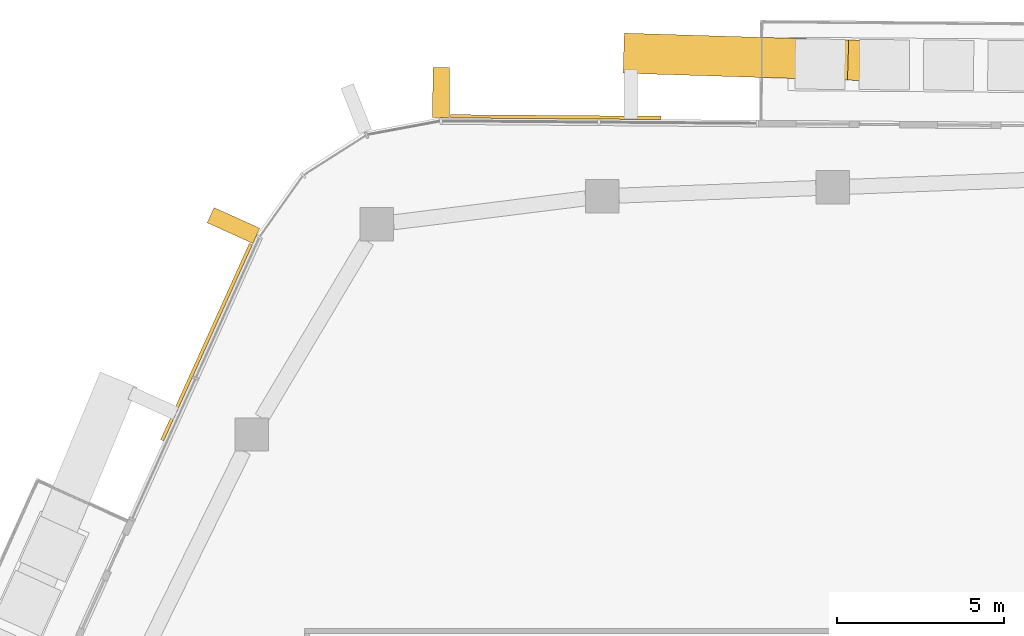
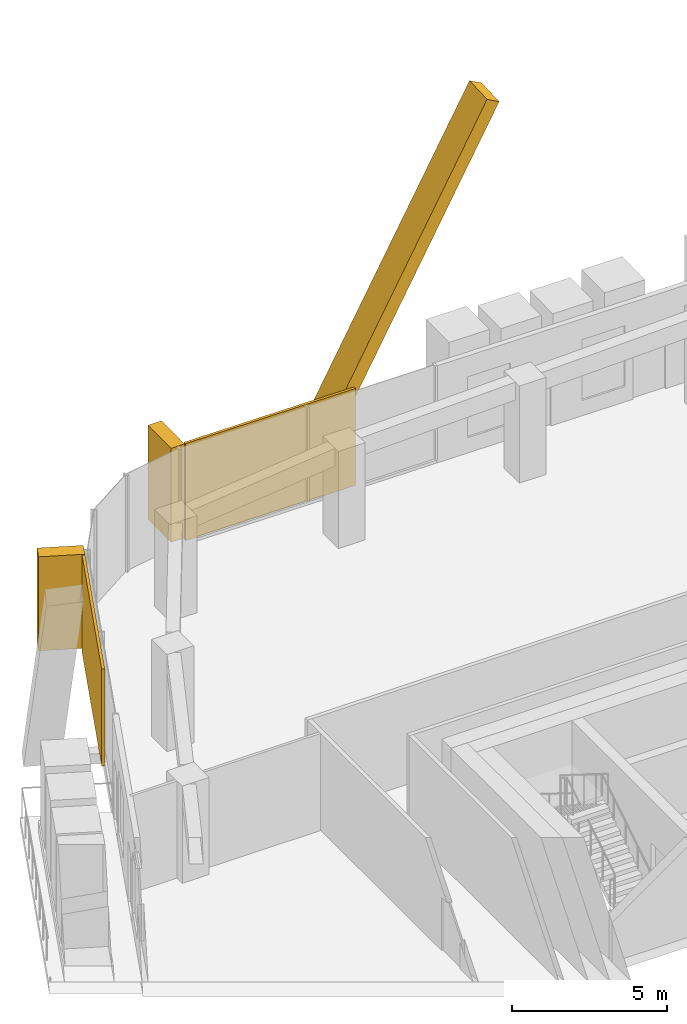
# One storey, part 21 of 23: 5 coverings, 2 elements without a shape of their own.
"""IFC4 building model written with IfcOpenShell, lengths in metres."""

from ifc_helpers import new_model, si_unit, direction, frame, origin, origin_2d, place, context, subcontext, project, spatial, rectangle, extrude, material, layer, layer_set, material_profile, profile_set, type_object, element, aggregate, save


model = new_model("IFC4")

# Units and contexts
model_context = context("Model", 3, precision=1e-05, world=origin(), true_north=direction((0.0, 1.0)))
body_context = subcontext(model_context, "Body", "Model", "MODEL_VIEW")
ifc_project = project(units=[si_unit("LENGTHUNIT", "METRE"), si_unit("AREAUNIT", "SQUARE_METRE"), si_unit("VOLUMEUNIT", "CUBIC_METRE"), si_unit("PLANEANGLEUNIT", "RADIAN"), si_unit("MASSUNIT", "GRAM", prefix="KILO")], contexts=[model_context])

# Site, building, storey
site_placement = place(None, origin())
site = spatial("IfcSite", under=ifc_project, at=site_placement, CompositionType="ELEMENT")
building_placement = place(site_placement, origin())
building = spatial("IfcBuilding", under=site, at=building_placement, Name="Dongbaek Canopy Tower", CompositionType="ELEMENT")
storey_placement = place(building_placement, frame((0.0, 0.0, 327.800048828125)))
storey = spatial("IfcBuildingStorey", under=building, at=storey_placement, Name="L70", CompositionType="ELEMENT", Elevation=327.800048828125)

# Curtain wall, coverings
ifc_material_1 = material(Name="Aluminium 6063-T6 pale anodised", Category="aluminium")
ifc_layer_1 = layer(ifc_material_1, 0.199951171875)
ifc_layer_set_1 = layer_set([ifc_layer_1], Name="CW-1 unitised tower curtain wall")
curtain_wall_type = type_object("IfcCurtainWallType", Name="CW-1 unitised tower curtain wall", PredefinedType="NOTDEFINED", material=ifc_layer_set_1)
curtain_wall_1_placement = place(storey_placement, origin())
curtain_wall_1 = element("IfcCurtainWall", 1, at=curtain_wall_1_placement, inside=storey, type_object=curtain_wall_type, Name="CW-1 curtain wall F1.1", PredefinedType="NOTDEFINED")
ifc_material_2 = material(Name="Aluminium 6063-T6 pale metal fin", Category="aluminium")
ifc_material_profile_1 = material_profile(ifc_material_2, rectangle(XDim=1.199951171875, YDim=0.5, at=origin_2d()), Name="Crease fin CF1 500 x 1200 pale metal")
ifc_profile_set_1 = profile_set([ifc_material_profile_1], Name="Aluminium 6063-T6 pale metal fin")
covering_type_1 = type_object("IfcCoveringType", Name="Crease fin CF1 500 x 1200 pale metal", PredefinedType="CLADDING", material=ifc_profile_set_1)
covering_1_placement = place(storey_placement, frame((-7.4501953125, 31.440673828125, -0.18994140625), z_axis=(0.47039525, -0.014463705077, 0.882337299457), x_axis=(0.030733457981, 0.999527615707, 0.0)))
covering_1 = element("IfcCovering", 2, at=covering_1_placement, type_object=covering_type_1, Name="Crease fin L70 L73 F1", PredefinedType="CLADDING", context=body_context, shape_type="SweptSolid", body=[
    extrude(rectangle(XDim=1.199951171875, YDim=0.5, at=origin_2d()), origin(), (0.0, 0.0, 1.0), 14.280029296875),
])
ifc_material_3 = material(Name="Perforated aluminium 6063-T6 pale metal screen", Category="aluminium")
ifc_layer_2 = layer(ifc_material_3, 0.10009765625)
ifc_layer_set_2 = layer_set([ifc_layer_2], Name="Facet screen FS1 100 pale metal")
covering_type_2 = type_object("IfcCoveringType", Name="Facet screen FS1 100 pale metal", PredefinedType="CLADDING", material=ifc_layer_set_2)
covering_2_placement = place(storey_placement, frame((-9.70263671875, 29.5341796875, 0.0), z_axis=(0.0, 0.0, 1.0), x_axis=(-0.999969717098, 0.007782344576, 0.0)))
covering_2 = element("IfcCovering", 3, at=covering_2_placement, type_object=covering_type_2, Name="Facet screen L70 F1", PredefinedType="CLADDING", context=body_context, shape_type="SweptSolid", body=[
    extrude(rectangle(XDim=6.302001953125, YDim=0.10009765625, at=origin_2d()), origin(), (0.0, 0.0, 1.0), 3.820068359375),
])

# Curtain wall, covering
curtain_wall_2_placement = place(storey_placement, origin())
curtain_wall_2 = element("IfcCurtainWall", 4, at=curtain_wall_2_placement, inside=storey, type_object=curtain_wall_type, Name="CW-1 curtain wall F2.1", PredefinedType="NOTDEFINED")
covering_3_placement = place(storey_placement, frame((-20.161865234375, 22.795166015625, 0.0), z_axis=(0.0, 0.0, 1.0), x_axis=(-0.41212191404, -0.911128710978, 0.0)))
covering_3 = element("IfcCovering", 5, at=covering_3_placement, type_object=covering_type_2, Name="Facet screen L70 F2", PredefinedType="CLADDING", context=body_context, shape_type="SweptSolid", body=[
    extrude(rectangle(XDim=6.45068359375, YDim=0.10009765625, at=origin_2d()), origin(), (0.0, 0.0, 1.0), 3.820068359375),
])

# Covering
ifc_material_4 = material(Name="Aluminium 6063-T6 pale metal fin", Category="aluminium")
ifc_material_profile_2 = material_profile(ifc_material_4, rectangle(XDim=1.5, YDim=0.5, at=origin_2d()), Name="Fin FN1 500 x 1500 pale metal")
ifc_profile_set_2 = profile_set([ifc_material_profile_2], Name="Aluminium 6063-T6 pale metal fin")
covering_type_3 = type_object("IfcCoveringType", Name="Fin FN1 500 x 1500 pale metal", PredefinedType="CLADDING", material=ifc_profile_set_2)
covering_4_placement = place(storey_placement, frame((-13.13818359375, 30.264892578125, 0.119873046875), z_axis=(0.0, 0.0, 1.0), x_axis=(0.007781807363, 0.999969721279, 0.0)))
covering_4 = element("IfcCovering", 6, at=covering_4_placement, type_object=covering_type_3, Name="Fin F1.1.3", PredefinedType="CLADDING", context=body_context, shape_type="SweptSolid", body=[
    extrude(rectangle(XDim=1.5, YDim=0.5, at=origin_2d()), origin(), (0.0, 0.0, 1.0), 3.7001953125),
])

aggregate(curtain_wall_1, [covering_4, covering_1, covering_2])

covering_5_placement = place(storey_placement, frame((-19.3544921875, 26.288330078125, 0.119873046875), z_axis=(0.0, 0.0, 1.0), x_axis=(-0.911128562459, 0.412122242389, 0.0)))
covering_5 = element("IfcCovering", 7, at=covering_5_placement, type_object=covering_type_3, Name="Fin F2.1.1", PredefinedType="CLADDING", context=body_context, shape_type="SweptSolid", body=[
    extrude(rectangle(XDim=1.5, YDim=0.5, at=origin_2d()), origin(), (0.0, 0.0, 1.0), 3.7001953125),
])

aggregate(curtain_wall_2, [covering_5, covering_3])

save(model, "model.ifc")
